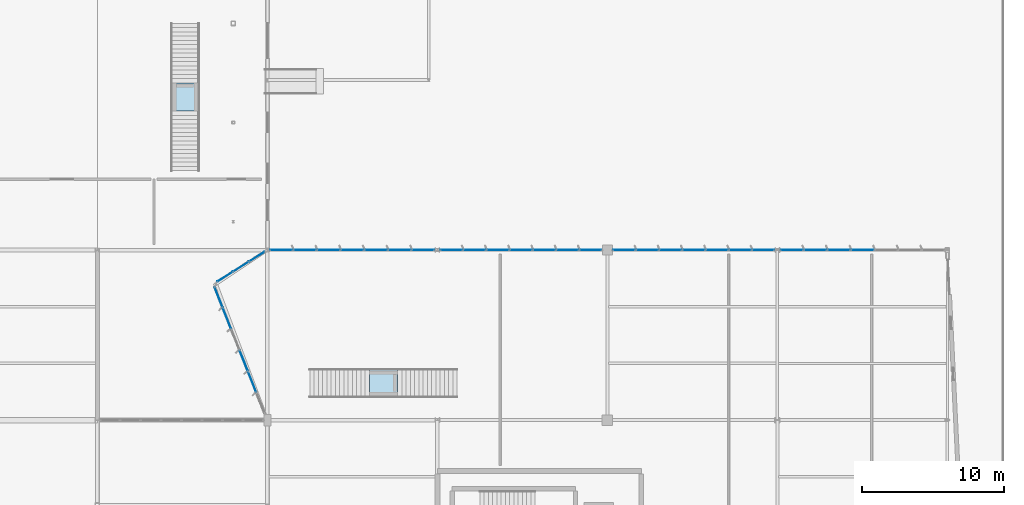
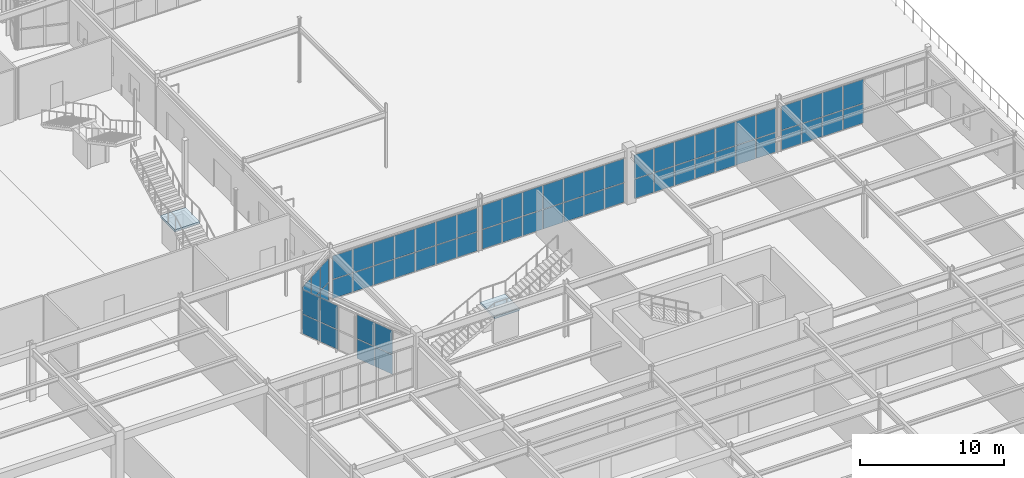
# One storey, part 123 of 199: 64 plates, 2 slabs, 8 elements without a shape of their own.
"""IFC4 building model written with IfcOpenShell, lengths in metres."""

from ifc_helpers import new_model, si_unit, direction, frame, origin, origin_2d, place, context, subcontext, project, spatial, polyline, rectangle, outline, extrude, material, layer, layer_set, type_object, element, aggregate, save


model = new_model("IFC4")

# Units and contexts
model_context = context("Model", 3, precision=1e-05, world=origin(), true_north=direction((0.0, 1.0)))
body_context = subcontext(model_context, "Body", "Model", "MODEL_VIEW")
ifc_project = project(units=[si_unit("LENGTHUNIT", "METRE"), si_unit("AREAUNIT", "SQUARE_METRE"), si_unit("VOLUMEUNIT", "CUBIC_METRE"), si_unit("PLANEANGLEUNIT", "RADIAN"), si_unit("MASSUNIT", "GRAM", prefix="KILO")], contexts=[model_context])

# Site, building, storey
site_placement = place(None, origin())
site = spatial("IfcSite", under=ifc_project, at=site_placement, CompositionType="ELEMENT")
building_placement = place(site_placement, origin())
building = spatial("IfcBuilding", under=site, at=building_placement, Name="Tarnwether General Hospital", CompositionType="ELEMENT")
storey_placement = place(building_placement, origin())
storey = spatial("IfcBuildingStorey", under=building, at=storey_placement, Name="L00", CompositionType="ELEMENT", Elevation=0.0)

# Curtain wall, plates
ifc_material_1 = material(Name="Anodised aluminium", Category="aluminium")
ifc_layer_1 = layer(ifc_material_1, 0.159912109375)
ifc_layer_set_1 = layer_set([ifc_layer_1], Name="Anodised aluminium")
curtain_wall_type = type_object("IfcCurtainWallType", Name="CW-20", PredefinedType="NOTDEFINED", material=ifc_layer_set_1)
curtain_wall_1_placement = place(storey_placement, origin())
curtain_wall_1 = element("IfcCurtainWall", 1, at=curtain_wall_1_placement, inside=storey, type_object=curtain_wall_type, Name="Curtain Wall CWG-L00-1441_456-0286", PredefinedType="NOTDEFINED")
ifc_material_2 = material(Name="Double glazed low-E glass", Category="glass")
ifc_layer_2 = layer(ifc_material_2, 0.028076171875)
ifc_layer_set_2 = layer_set([ifc_layer_2], Name="Double glazed low-E glass")
plate_type = type_object("IfcPlateType", Name="PT-CWP1", PredefinedType="CURTAIN_PANEL", material=ifc_layer_set_2)
plate_1_placement = place(storey_placement, frame((144.98583984375, 45.60009765625, 0.06005859375), z_axis=(0.0, 0.0, 1.0), x_axis=(1.0, 0.0, 0.0)))
plate_1 = element("IfcPlate", 2, at=plate_1_placement, type_object=plate_type, Name="CW-20 panel 1.1", PredefinedType="CURTAIN_PANEL", context=body_context, shape_type="SweptSolid", body=[
    extrude(rectangle(XDim=1.581787109375, YDim=0.028076171875, at=origin_2d()), origin(), (0.0, 0.0, 1.0), 1.592041015625),
])
plate_2_placement = place(storey_placement, frame((144.98583984375, 45.60009765625, 1.712158203125), z_axis=(0.0, 0.0, 1.0), x_axis=(1.0, 0.0, 0.0)))
plate_2 = element("IfcPlate", 3, at=plate_2_placement, type_object=plate_type, Name="CW-20 panel 1.2", PredefinedType="CURTAIN_PANEL", context=body_context, shape_type="SweptSolid", body=[
    extrude(rectangle(XDim=1.581787109375, YDim=0.028076171875, at=origin_2d()), origin(), (0.0, 0.0, 1.0), 1.9658203125),
])
plate_3_placement = place(storey_placement, frame((146.642822265625, 45.60009765625, 0.06005859375), z_axis=(0.0, 0.0, 1.0), x_axis=(1.0, 0.0, 0.0)))
plate_3 = element("IfcPlate", 4, at=plate_3_placement, type_object=plate_type, Name="CW-20 panel 2.1", PredefinedType="CURTAIN_PANEL", context=body_context, shape_type="SweptSolid", body=[
    extrude(rectangle(XDim=1.61181640625, YDim=0.028076171875, at=origin_2d()), origin(), (0.0, 0.0, 1.0), 1.592041015625),
])
plate_4_placement = place(storey_placement, frame((146.642822265625, 45.60009765625, 1.712158203125), z_axis=(0.0, 0.0, 1.0), x_axis=(1.0, 0.0, 0.0)))
plate_4 = element("IfcPlate", 5, at=plate_4_placement, type_object=plate_type, Name="CW-20 panel 2.2", PredefinedType="CURTAIN_PANEL", context=body_context, shape_type="SweptSolid", body=[
    extrude(rectangle(XDim=1.61181640625, YDim=0.028076171875, at=origin_2d()), origin(), (0.0, 0.0, 1.0), 1.9658203125),
])
plate_5_placement = place(storey_placement, frame((148.314697265625, 45.60009765625, 0.06005859375), z_axis=(0.0, 0.0, 1.0), x_axis=(1.0, 0.0, 0.0)))
plate_5 = element("IfcPlate", 6, at=plate_5_placement, type_object=plate_type, Name="CW-20 panel 3.1", PredefinedType="CURTAIN_PANEL", context=body_context, shape_type="SweptSolid", body=[
    extrude(rectangle(XDim=1.61181640625, YDim=0.028076171875, at=origin_2d()), origin(), (0.0, 0.0, 1.0), 1.592041015625),
])
plate_6_placement = place(storey_placement, frame((148.314697265625, 45.60009765625, 1.712158203125), z_axis=(0.0, 0.0, 1.0), x_axis=(1.0, 0.0, 0.0)))
plate_6 = element("IfcPlate", 7, at=plate_6_placement, type_object=plate_type, Name="CW-20 panel 3.2", PredefinedType="CURTAIN_PANEL", context=body_context, shape_type="SweptSolid", body=[
    extrude(rectangle(XDim=1.61181640625, YDim=0.028076171875, at=origin_2d()), origin(), (0.0, 0.0, 1.0), 1.9658203125),
])
plate_7_placement = place(storey_placement, frame((149.986572265625, 45.60009765625, 0.06005859375), z_axis=(0.0, 0.0, 1.0), x_axis=(1.0, 0.0, 0.0)))
plate_7 = element("IfcPlate", 8, at=plate_7_placement, type_object=plate_type, Name="CW-20 panel 4.1", PredefinedType="CURTAIN_PANEL", context=body_context, shape_type="SweptSolid", body=[
    extrude(rectangle(XDim=1.61181640625, YDim=0.028076171875, at=origin_2d()), origin(), (0.0, 0.0, 1.0), 1.592041015625),
])
plate_8_placement = place(storey_placement, frame((149.986572265625, 45.60009765625, 1.712158203125), z_axis=(0.0, 0.0, 1.0), x_axis=(1.0, 0.0, 0.0)))
plate_8 = element("IfcPlate", 9, at=plate_8_placement, type_object=plate_type, Name="CW-20 panel 4.2", PredefinedType="CURTAIN_PANEL", context=body_context, shape_type="SweptSolid", body=[
    extrude(rectangle(XDim=1.61181640625, YDim=0.028076171875, at=origin_2d()), origin(), (0.0, 0.0, 1.0), 1.9658203125),
])
plate_9_placement = place(storey_placement, frame((151.658447265625, 45.60009765625, 0.06005859375), z_axis=(0.0, 0.0, 1.0), x_axis=(1.0, 0.0, 0.0)))
plate_9 = element("IfcPlate", 10, at=plate_9_placement, type_object=plate_type, Name="CW-20 panel 5.1", PredefinedType="CURTAIN_PANEL", context=body_context, shape_type="SweptSolid", body=[
    extrude(rectangle(XDim=1.61181640625, YDim=0.028076171875, at=origin_2d()), origin(), (0.0, 0.0, 1.0), 1.592041015625),
])
plate_10_placement = place(storey_placement, frame((151.658447265625, 45.60009765625, 1.712158203125), z_axis=(0.0, 0.0, 1.0), x_axis=(1.0, 0.0, 0.0)))
plate_10 = element("IfcPlate", 11, at=plate_10_placement, type_object=plate_type, Name="CW-20 panel 5.2", PredefinedType="CURTAIN_PANEL", context=body_context, shape_type="SweptSolid", body=[
    extrude(rectangle(XDim=1.61181640625, YDim=0.028076171875, at=origin_2d()), origin(), (0.0, 0.0, 1.0), 1.9658203125),
])
plate_11_placement = place(storey_placement, frame((153.330322265625, 45.60009765625, 0.06005859375), z_axis=(0.0, 0.0, 1.0), x_axis=(1.0, 0.0, 0.0)))
plate_11 = element("IfcPlate", 12, at=plate_11_placement, type_object=plate_type, Name="CW-20 panel 6.1", PredefinedType="CURTAIN_PANEL", context=body_context, shape_type="SweptSolid", body=[
    extrude(rectangle(XDim=1.61181640625, YDim=0.028076171875, at=origin_2d()), origin(), (0.0, 0.0, 1.0), 1.592041015625),
])
plate_12_placement = place(storey_placement, frame((153.330322265625, 45.60009765625, 1.712158203125), z_axis=(0.0, 0.0, 1.0), x_axis=(1.0, 0.0, 0.0)))
plate_12 = element("IfcPlate", 13, at=plate_12_placement, type_object=plate_type, Name="CW-20 panel 6.2", PredefinedType="CURTAIN_PANEL", context=body_context, shape_type="SweptSolid", body=[
    extrude(rectangle(XDim=1.61181640625, YDim=0.028076171875, at=origin_2d()), origin(), (0.0, 0.0, 1.0), 1.9658203125),
])
plate_13_placement = place(storey_placement, frame((154.987060546875, 45.60009765625, 0.06005859375), z_axis=(0.0, 0.0, 1.0), x_axis=(1.0, 0.0, 0.0)))
plate_13 = element("IfcPlate", 14, at=plate_13_placement, type_object=plate_type, Name="CW-20 panel 7.1", PredefinedType="CURTAIN_PANEL", context=body_context, shape_type="SweptSolid", body=[
    extrude(rectangle(XDim=1.581787109375, YDim=0.028076171875, at=origin_2d()), origin(), (0.0, 0.0, 1.0), 1.592041015625),
])
plate_14_placement = place(storey_placement, frame((154.987060546875, 45.60009765625, 1.712158203125), z_axis=(0.0, 0.0, 1.0), x_axis=(1.0, 0.0, 0.0)))
plate_14 = element("IfcPlate", 15, at=plate_14_placement, type_object=plate_type, Name="CW-20 panel 7.2", PredefinedType="CURTAIN_PANEL", context=body_context, shape_type="SweptSolid", body=[
    extrude(rectangle(XDim=1.581787109375, YDim=0.028076171875, at=origin_2d()), origin(), (0.0, 0.0, 1.0), 1.9658203125),
])
aggregate(curtain_wall_1, [plate_1, plate_2, plate_3, plate_4, plate_5, plate_6, plate_7, plate_8, plate_9, plate_10, plate_11, plate_12, plate_13, plate_14])

curtain_wall_2_placement = place(storey_placement, origin())
curtain_wall_2 = element("IfcCurtainWall", 16, at=curtain_wall_2_placement, inside=storey, type_object=curtain_wall_type, Name="Curtain Wall CWG-L00-1562_456-0287", PredefinedType="NOTDEFINED")
plate_15_placement = place(storey_placement, frame((156.9970703125, 45.60009765625, 0.06005859375), z_axis=(0.0, 0.0, 1.0), x_axis=(1.0, 0.0, 0.0)))
plate_15 = element("IfcPlate", 17, at=plate_15_placement, type_object=plate_type, Name="CW-20 panel 1.1", PredefinedType="CURTAIN_PANEL", context=body_context, shape_type="SweptSolid", body=[
    extrude(rectangle(XDim=1.550048828125, YDim=0.028076171875, at=origin_2d()), origin(), (0.0, 0.0, 1.0), 1.628173828125),
])
plate_16_placement = place(storey_placement, frame((156.9970703125, 45.60009765625, 1.748046875), z_axis=(0.0, 0.0, 1.0), x_axis=(1.0, 0.0, 0.0)))
plate_16 = element("IfcPlate", 18, at=plate_16_placement, type_object=plate_type, Name="CW-20 panel 1.2", PredefinedType="CURTAIN_PANEL", context=body_context, shape_type="SweptSolid", body=[
    extrude(rectangle(XDim=1.550048828125, YDim=0.028076171875, at=origin_2d()), origin(), (0.0, 0.0, 1.0), 2.010009765625),
])
plate_17_placement = place(storey_placement, frame((158.6220703125, 45.60009765625, 0.06005859375), z_axis=(0.0, 0.0, 1.0), x_axis=(1.0, 0.0, 0.0)))
plate_17 = element("IfcPlate", 19, at=plate_17_placement, type_object=plate_type, Name="CW-20 panel 2.1", PredefinedType="CURTAIN_PANEL", context=body_context, shape_type="SweptSolid", body=[
    extrude(rectangle(XDim=1.580078125, YDim=0.028076171875, at=origin_2d()), origin(), (0.0, 0.0, 1.0), 1.628173828125),
])
plate_18_placement = place(storey_placement, frame((158.6220703125, 45.60009765625, 1.748046875), z_axis=(0.0, 0.0, 1.0), x_axis=(1.0, 0.0, 0.0)))
plate_18 = element("IfcPlate", 20, at=plate_18_placement, type_object=plate_type, Name="CW-20 panel 2.2", PredefinedType="CURTAIN_PANEL", context=body_context, shape_type="SweptSolid", body=[
    extrude(rectangle(XDim=1.580078125, YDim=0.028076171875, at=origin_2d()), origin(), (0.0, 0.0, 1.0), 2.010009765625),
])
plate_19_placement = place(storey_placement, frame((160.261962890625, 45.60009765625, 0.06005859375), z_axis=(0.0, 0.0, 1.0), x_axis=(1.0, 0.0, 0.0)))
plate_19 = element("IfcPlate", 21, at=plate_19_placement, type_object=plate_type, Name="CW-20 panel 3.1", PredefinedType="CURTAIN_PANEL", context=body_context, shape_type="SweptSolid", body=[
    extrude(rectangle(XDim=1.580078125, YDim=0.028076171875, at=origin_2d()), origin(), (0.0, 0.0, 1.0), 1.628173828125),
])
plate_20_placement = place(storey_placement, frame((160.261962890625, 45.60009765625, 1.748046875), z_axis=(0.0, 0.0, 1.0), x_axis=(1.0, 0.0, 0.0)))
plate_20 = element("IfcPlate", 22, at=plate_20_placement, type_object=plate_type, Name="CW-20 panel 3.2", PredefinedType="CURTAIN_PANEL", context=body_context, shape_type="SweptSolid", body=[
    extrude(rectangle(XDim=1.580078125, YDim=0.028076171875, at=origin_2d()), origin(), (0.0, 0.0, 1.0), 2.010009765625),
])
plate_21_placement = place(storey_placement, frame((161.902099609375, 45.60009765625, 0.06005859375), z_axis=(0.0, 0.0, 1.0), x_axis=(1.0, 0.0, 0.0)))
plate_21 = element("IfcPlate", 23, at=plate_21_placement, type_object=plate_type, Name="CW-20 panel 4.1", PredefinedType="CURTAIN_PANEL", context=body_context, shape_type="SweptSolid", body=[
    extrude(rectangle(XDim=1.580078125, YDim=0.028076171875, at=origin_2d()), origin(), (0.0, 0.0, 1.0), 1.628173828125),
])
plate_22_placement = place(storey_placement, frame((161.902099609375, 45.60009765625, 1.748046875), z_axis=(0.0, 0.0, 1.0), x_axis=(1.0, 0.0, 0.0)))
plate_22 = element("IfcPlate", 24, at=plate_22_placement, type_object=plate_type, Name="CW-20 panel 4.2", PredefinedType="CURTAIN_PANEL", context=body_context, shape_type="SweptSolid", body=[
    extrude(rectangle(XDim=1.580078125, YDim=0.028076171875, at=origin_2d()), origin(), (0.0, 0.0, 1.0), 2.010009765625),
])
plate_23_placement = place(storey_placement, frame((163.5419921875, 45.60009765625, 0.06005859375), z_axis=(0.0, 0.0, 1.0), x_axis=(1.0, 0.0, 0.0)))
plate_23 = element("IfcPlate", 25, at=plate_23_placement, type_object=plate_type, Name="CW-20 panel 5.1", PredefinedType="CURTAIN_PANEL", context=body_context, shape_type="SweptSolid", body=[
    extrude(rectangle(XDim=1.580078125, YDim=0.028076171875, at=origin_2d()), origin(), (0.0, 0.0, 1.0), 1.628173828125),
])
plate_24_placement = place(storey_placement, frame((163.5419921875, 45.60009765625, 1.748046875), z_axis=(0.0, 0.0, 1.0), x_axis=(1.0, 0.0, 0.0)))
plate_24 = element("IfcPlate", 26, at=plate_24_placement, type_object=plate_type, Name="CW-20 panel 5.2", PredefinedType="CURTAIN_PANEL", context=body_context, shape_type="SweptSolid", body=[
    extrude(rectangle(XDim=1.580078125, YDim=0.028076171875, at=origin_2d()), origin(), (0.0, 0.0, 1.0), 2.010009765625),
])
plate_25_placement = place(storey_placement, frame((165.181884765625, 45.60009765625, 0.06005859375), z_axis=(0.0, 0.0, 1.0), x_axis=(1.0, 0.0, 0.0)))
plate_25 = element("IfcPlate", 27, at=plate_25_placement, type_object=plate_type, Name="CW-20 panel 6.1", PredefinedType="CURTAIN_PANEL", context=body_context, shape_type="SweptSolid", body=[
    extrude(rectangle(XDim=1.580078125, YDim=0.028076171875, at=origin_2d()), origin(), (0.0, 0.0, 1.0), 1.628173828125),
])
plate_26_placement = place(storey_placement, frame((165.181884765625, 45.60009765625, 1.748046875), z_axis=(0.0, 0.0, 1.0), x_axis=(1.0, 0.0, 0.0)))
plate_26 = element("IfcPlate", 28, at=plate_26_placement, type_object=plate_type, Name="CW-20 panel 6.2", PredefinedType="CURTAIN_PANEL", context=body_context, shape_type="SweptSolid", body=[
    extrude(rectangle(XDim=1.580078125, YDim=0.028076171875, at=origin_2d()), origin(), (0.0, 0.0, 1.0), 2.010009765625),
])
plate_27_placement = place(storey_placement, frame((166.806884765625, 45.60009765625, 0.06005859375), z_axis=(0.0, 0.0, 1.0), x_axis=(1.0, 0.0, 0.0)))
plate_27 = element("IfcPlate", 29, at=plate_27_placement, type_object=plate_type, Name="CW-20 panel 7.1", PredefinedType="CURTAIN_PANEL", context=body_context, shape_type="SweptSolid", body=[
    extrude(rectangle(XDim=1.550048828125, YDim=0.028076171875, at=origin_2d()), origin(), (0.0, 0.0, 1.0), 1.628173828125),
])
plate_28_placement = place(storey_placement, frame((166.806884765625, 45.60009765625, 1.748046875), z_axis=(0.0, 0.0, 1.0), x_axis=(1.0, 0.0, 0.0)))
plate_28 = element("IfcPlate", 30, at=plate_28_placement, type_object=plate_type, Name="CW-20 panel 7.2", PredefinedType="CURTAIN_PANEL", context=body_context, shape_type="SweptSolid", body=[
    extrude(rectangle(XDim=1.550048828125, YDim=0.028076171875, at=origin_2d()), origin(), (0.0, 0.0, 1.0), 2.010009765625),
])
aggregate(curtain_wall_2, [plate_15, plate_16, plate_17, plate_18, plate_19, plate_20, plate_21, plate_22, plate_23, plate_24, plate_25, plate_26, plate_27, plate_28])

curtain_wall_3_placement = place(storey_placement, origin())
curtain_wall_3 = element("IfcCurtainWall", 31, at=curtain_wall_3_placement, inside=storey, type_object=curtain_wall_type, Name="Curtain Wall CWG-L00-1684_456-0288", PredefinedType="NOTDEFINED")
plate_29_placement = place(storey_placement, frame((169.1923828125, 45.60009765625, 0.06005859375), z_axis=(0.0, 0.0, 1.0), x_axis=(1.0, 0.0, 0.0)))
plate_29 = element("IfcPlate", 32, at=plate_29_placement, type_object=plate_type, Name="CW-20 panel 1.1", PredefinedType="CURTAIN_PANEL", context=body_context, shape_type="SweptSolid", body=[
    extrude(rectangle(XDim=1.548583984375, YDim=0.028076171875, at=origin_2d()), origin(), (0.0, 0.0, 1.0), 1.632568359375),
])
plate_30_placement = place(storey_placement, frame((169.1923828125, 45.60009765625, 1.75244140625), z_axis=(0.0, 0.0, 1.0), x_axis=(1.0, 0.0, 0.0)))
plate_30 = element("IfcPlate", 33, at=plate_30_placement, type_object=plate_type, Name="CW-20 panel 1.2", PredefinedType="CURTAIN_PANEL", context=body_context, shape_type="SweptSolid", body=[
    extrude(rectangle(XDim=1.548583984375, YDim=0.028076171875, at=origin_2d()), origin(), (0.0, 0.0, 1.0), 2.015380859375),
])
plate_31_placement = place(storey_placement, frame((170.81591796875, 45.60009765625, 0.06005859375), z_axis=(0.0, 0.0, 1.0), x_axis=(1.0, 0.0, 0.0)))
plate_31 = element("IfcPlate", 34, at=plate_31_placement, type_object=plate_type, Name="CW-20 panel 2.1", PredefinedType="CURTAIN_PANEL", context=body_context, shape_type="SweptSolid", body=[
    extrude(rectangle(XDim=1.57861328125, YDim=0.028076171875, at=origin_2d()), origin(), (0.0, 0.0, 1.0), 1.632568359375),
])
plate_32_placement = place(storey_placement, frame((170.81591796875, 45.60009765625, 1.75244140625), z_axis=(0.0, 0.0, 1.0), x_axis=(1.0, 0.0, 0.0)))
plate_32 = element("IfcPlate", 35, at=plate_32_placement, type_object=plate_type, Name="CW-20 panel 2.2", PredefinedType="CURTAIN_PANEL", context=body_context, shape_type="SweptSolid", body=[
    extrude(rectangle(XDim=1.57861328125, YDim=0.028076171875, at=origin_2d()), origin(), (0.0, 0.0, 1.0), 2.015380859375),
])
plate_33_placement = place(storey_placement, frame((172.454345703125, 45.60009765625, 0.06005859375), z_axis=(0.0, 0.0, 1.0), x_axis=(1.0, 0.0, 0.0)))
plate_33 = element("IfcPlate", 36, at=plate_33_placement, type_object=plate_type, Name="CW-20 panel 3.1", PredefinedType="CURTAIN_PANEL", context=body_context, shape_type="SweptSolid", body=[
    extrude(rectangle(XDim=1.57861328125, YDim=0.028076171875, at=origin_2d()), origin(), (0.0, 0.0, 1.0), 1.632568359375),
])
plate_34_placement = place(storey_placement, frame((172.454345703125, 45.60009765625, 1.75244140625), z_axis=(0.0, 0.0, 1.0), x_axis=(1.0, 0.0, 0.0)))
plate_34 = element("IfcPlate", 37, at=plate_34_placement, type_object=plate_type, Name="CW-20 panel 3.2", PredefinedType="CURTAIN_PANEL", context=body_context, shape_type="SweptSolid", body=[
    extrude(rectangle(XDim=1.57861328125, YDim=0.028076171875, at=origin_2d()), origin(), (0.0, 0.0, 1.0), 2.015380859375),
])
plate_35_placement = place(storey_placement, frame((174.093017578125, 45.60009765625, 0.06005859375), z_axis=(0.0, 0.0, 1.0), x_axis=(1.0, 0.0, 0.0)))
plate_35 = element("IfcPlate", 38, at=plate_35_placement, type_object=plate_type, Name="CW-20 panel 4.1", PredefinedType="CURTAIN_PANEL", context=body_context, shape_type="SweptSolid", body=[
    extrude(rectangle(XDim=1.57861328125, YDim=0.028076171875, at=origin_2d()), origin(), (0.0, 0.0, 1.0), 1.632568359375),
])
plate_36_placement = place(storey_placement, frame((174.093017578125, 45.60009765625, 1.75244140625), z_axis=(0.0, 0.0, 1.0), x_axis=(1.0, 0.0, 0.0)))
plate_36 = element("IfcPlate", 39, at=plate_36_placement, type_object=plate_type, Name="CW-20 panel 4.2", PredefinedType="CURTAIN_PANEL", context=body_context, shape_type="SweptSolid", body=[
    extrude(rectangle(XDim=1.57861328125, YDim=0.028076171875, at=origin_2d()), origin(), (0.0, 0.0, 1.0), 2.015380859375),
])
plate_37_placement = place(storey_placement, frame((175.731689453125, 45.60009765625, 0.06005859375), z_axis=(0.0, 0.0, 1.0), x_axis=(1.0, 0.0, 0.0)))
plate_37 = element("IfcPlate", 40, at=plate_37_placement, type_object=plate_type, Name="CW-20 panel 5.1", PredefinedType="CURTAIN_PANEL", context=body_context, shape_type="SweptSolid", body=[
    extrude(rectangle(XDim=1.57861328125, YDim=0.028076171875, at=origin_2d()), origin(), (0.0, 0.0, 1.0), 1.632568359375),
])
plate_38_placement = place(storey_placement, frame((175.731689453125, 45.60009765625, 1.75244140625), z_axis=(0.0, 0.0, 1.0), x_axis=(1.0, 0.0, 0.0)))
plate_38 = element("IfcPlate", 41, at=plate_38_placement, type_object=plate_type, Name="CW-20 panel 5.2", PredefinedType="CURTAIN_PANEL", context=body_context, shape_type="SweptSolid", body=[
    extrude(rectangle(XDim=1.57861328125, YDim=0.028076171875, at=origin_2d()), origin(), (0.0, 0.0, 1.0), 2.015380859375),
])
plate_39_placement = place(storey_placement, frame((177.3701171875, 45.60009765625, 0.06005859375), z_axis=(0.0, 0.0, 1.0), x_axis=(1.0, 0.0, 0.0)))
plate_39 = element("IfcPlate", 42, at=plate_39_placement, type_object=plate_type, Name="CW-20 panel 6.1", PredefinedType="CURTAIN_PANEL", context=body_context, shape_type="SweptSolid", body=[
    extrude(rectangle(XDim=1.57861328125, YDim=0.028076171875, at=origin_2d()), origin(), (0.0, 0.0, 1.0), 1.632568359375),
])
plate_40_placement = place(storey_placement, frame((177.3701171875, 45.60009765625, 1.75244140625), z_axis=(0.0, 0.0, 1.0), x_axis=(1.0, 0.0, 0.0)))
plate_40 = element("IfcPlate", 43, at=plate_40_placement, type_object=plate_type, Name="CW-20 panel 6.2", PredefinedType="CURTAIN_PANEL", context=body_context, shape_type="SweptSolid", body=[
    extrude(rectangle(XDim=1.57861328125, YDim=0.028076171875, at=origin_2d()), origin(), (0.0, 0.0, 1.0), 2.015380859375),
])
plate_41_placement = place(storey_placement, frame((178.99365234375, 45.60009765625, 0.06005859375), z_axis=(0.0, 0.0, 1.0), x_axis=(1.0, 0.0, 0.0)))
plate_41 = element("IfcPlate", 44, at=plate_41_placement, type_object=plate_type, Name="CW-20 panel 7.1", PredefinedType="CURTAIN_PANEL", context=body_context, shape_type="SweptSolid", body=[
    extrude(rectangle(XDim=1.548583984375, YDim=0.028076171875, at=origin_2d()), origin(), (0.0, 0.0, 1.0), 1.632568359375),
])
plate_42_placement = place(storey_placement, frame((178.99365234375, 45.60009765625, 1.75244140625), z_axis=(0.0, 0.0, 1.0), x_axis=(1.0, 0.0, 0.0)))
plate_42 = element("IfcPlate", 45, at=plate_42_placement, type_object=plate_type, Name="CW-20 panel 7.2", PredefinedType="CURTAIN_PANEL", context=body_context, shape_type="SweptSolid", body=[
    extrude(rectangle(XDim=1.548583984375, YDim=0.028076171875, at=origin_2d()), origin(), (0.0, 0.0, 1.0), 2.015380859375),
])
aggregate(curtain_wall_3, [plate_29, plate_30, plate_31, plate_32, plate_33, plate_34, plate_35, plate_36, plate_37, plate_38, plate_39, plate_40, plate_41, plate_42])

curtain_wall_4_placement = place(storey_placement, origin())
curtain_wall_4 = element("IfcCurtainWall", 46, at=curtain_wall_4_placement, inside=storey, type_object=curtain_wall_type, Name="Curtain Wall CWG-L00-1802_456-0289", PredefinedType="NOTDEFINED")
plate_43_placement = place(storey_placement, frame((181.0205078125, 45.60009765625, 0.06005859375), z_axis=(0.0, 0.0, 1.0), x_axis=(1.0, 0.0, 0.0)))
plate_43 = element("IfcPlate", 47, at=plate_43_placement, type_object=plate_type, Name="CW-20 panel 1.1", PredefinedType="CURTAIN_PANEL", context=body_context, shape_type="SweptSolid", body=[
    extrude(rectangle(XDim=1.5771484375, YDim=0.028076171875, at=origin_2d()), origin(), (0.0, 0.0, 1.0), 1.632568359375),
])
plate_44_placement = place(storey_placement, frame((181.0205078125, 45.60009765625, 1.75244140625), z_axis=(0.0, 0.0, 1.0), x_axis=(1.0, 0.0, 0.0)))
plate_44 = element("IfcPlate", 48, at=plate_44_placement, type_object=plate_type, Name="CW-20 panel 1.2", PredefinedType="CURTAIN_PANEL", context=body_context, shape_type="SweptSolid", body=[
    extrude(rectangle(XDim=1.5771484375, YDim=0.028076171875, at=origin_2d()), origin(), (0.0, 0.0, 1.0), 2.015380859375),
])
plate_45_placement = place(storey_placement, frame((182.672607421875, 45.60009765625, 0.06005859375), z_axis=(0.0, 0.0, 1.0), x_axis=(1.0, 0.0, 0.0)))
plate_45 = element("IfcPlate", 49, at=plate_45_placement, type_object=plate_type, Name="CW-20 panel 2.1", PredefinedType="CURTAIN_PANEL", context=body_context, shape_type="SweptSolid", body=[
    extrude(rectangle(XDim=1.607177734375, YDim=0.028076171875, at=origin_2d()), origin(), (0.0, 0.0, 1.0), 1.632568359375),
])
plate_46_placement = place(storey_placement, frame((182.672607421875, 45.60009765625, 1.75244140625), z_axis=(0.0, 0.0, 1.0), x_axis=(1.0, 0.0, 0.0)))
plate_46 = element("IfcPlate", 50, at=plate_46_placement, type_object=plate_type, Name="CW-20 panel 2.2", PredefinedType="CURTAIN_PANEL", context=body_context, shape_type="SweptSolid", body=[
    extrude(rectangle(XDim=1.607177734375, YDim=0.028076171875, at=origin_2d()), origin(), (0.0, 0.0, 1.0), 2.015380859375),
])
plate_47_placement = place(storey_placement, frame((184.33984375, 45.60009765625, 0.06005859375), z_axis=(0.0, 0.0, 1.0), x_axis=(1.0, 0.0, 0.0)))
plate_47 = element("IfcPlate", 51, at=plate_47_placement, type_object=plate_type, Name="CW-20 panel 3.1", PredefinedType="CURTAIN_PANEL", context=body_context, shape_type="SweptSolid", body=[
    extrude(rectangle(XDim=1.607177734375, YDim=0.028076171875, at=origin_2d()), origin(), (0.0, 0.0, 1.0), 1.632568359375),
])
plate_48_placement = place(storey_placement, frame((184.33984375, 45.60009765625, 1.75244140625), z_axis=(0.0, 0.0, 1.0), x_axis=(1.0, 0.0, 0.0)))
plate_48 = element("IfcPlate", 52, at=plate_48_placement, type_object=plate_type, Name="CW-20 panel 3.2", PredefinedType="CURTAIN_PANEL", context=body_context, shape_type="SweptSolid", body=[
    extrude(rectangle(XDim=1.607177734375, YDim=0.028076171875, at=origin_2d()), origin(), (0.0, 0.0, 1.0), 2.015380859375),
])
plate_49_placement = place(storey_placement, frame((186.007080078125, 45.60009765625, 0.06005859375), z_axis=(0.0, 0.0, 1.0), x_axis=(1.0, 0.0, 0.0)))
plate_49 = element("IfcPlate", 53, at=plate_49_placement, type_object=plate_type, Name="CW-20 panel 4.1", PredefinedType="CURTAIN_PANEL", context=body_context, shape_type="SweptSolid", body=[
    extrude(rectangle(XDim=1.607177734375, YDim=0.028076171875, at=origin_2d()), origin(), (0.0, 0.0, 1.0), 1.632568359375),
])
plate_50_placement = place(storey_placement, frame((186.007080078125, 45.60009765625, 1.75244140625), z_axis=(0.0, 0.0, 1.0), x_axis=(1.0, 0.0, 0.0)))
plate_50 = element("IfcPlate", 54, at=plate_50_placement, type_object=plate_type, Name="CW-20 panel 4.2", PredefinedType="CURTAIN_PANEL", context=body_context, shape_type="SweptSolid", body=[
    extrude(rectangle(XDim=1.607177734375, YDim=0.028076171875, at=origin_2d()), origin(), (0.0, 0.0, 1.0), 2.015380859375),
])
aggregate(curtain_wall_4, [plate_43, plate_44, plate_45, plate_46, plate_47, plate_48, plate_49, plate_50])

curtain_wall_5_placement = place(storey_placement, origin())
curtain_wall_5 = element("IfcCurtainWall", 55, at=curtain_wall_5_placement, inside=storey, type_object=curtain_wall_type, Name="Curtain Wall CWG-L00-1438_340-0294", PredefinedType="NOTDEFINED")
plate_51_placement = place(storey_placement, frame((142.9365234375, 36.2861328125, 0.06005859375), z_axis=(0.0, 0.0, 1.0), x_axis=(-0.36803540953, 0.929811775217, 0.0)))
plate_51 = element("IfcPlate", 56, at=plate_51_placement, type_object=plate_type, Name="CW-20 panel 2.1", PredefinedType="CURTAIN_PANEL", context=body_context, shape_type="SweptSolid", body=[
    extrude(rectangle(XDim=1.55126953125, YDim=0.028076171875, at=origin_2d()), origin(), (0.0, 0.0, 1.0), 1.632568359375),
])
plate_52_placement = place(storey_placement, frame((142.9365234375, 36.2861328125, 1.75244140625), z_axis=(0.0, 0.0, 1.0), x_axis=(-0.36803540953, 0.929811775217, 0.0)))
plate_52 = element("IfcPlate", 57, at=plate_52_placement, type_object=plate_type, Name="CW-20 panel 2.2", PredefinedType="CURTAIN_PANEL", context=body_context, shape_type="SweptSolid", body=[
    extrude(rectangle(XDim=1.55126953125, YDim=0.028076171875, at=origin_2d()), origin(), (0.0, 0.0, 1.0), 2.015380859375),
])
plate_53_placement = place(storey_placement, frame((142.343505859375, 37.784423828125, 0.06005859375), z_axis=(0.0, 0.0, 1.0), x_axis=(-0.36803540953, 0.929811775217, 0.0)))
plate_53 = element("IfcPlate", 58, at=plate_53_placement, type_object=plate_type, Name="CW-20 panel 3.1", PredefinedType="CURTAIN_PANEL", context=body_context, shape_type="SweptSolid", body=[
    extrude(rectangle(XDim=1.55126953125, YDim=0.028076171875, at=origin_2d()), origin(), (0.0, 0.0, 1.0), 1.632568359375),
])
plate_54_placement = place(storey_placement, frame((142.343505859375, 37.784423828125, 1.75244140625), z_axis=(0.0, 0.0, 1.0), x_axis=(-0.36803540953, 0.929811775217, 0.0)))
plate_54 = element("IfcPlate", 59, at=plate_54_placement, type_object=plate_type, Name="CW-20 panel 3.2", PredefinedType="CURTAIN_PANEL", context=body_context, shape_type="SweptSolid", body=[
    extrude(rectangle(XDim=1.55126953125, YDim=0.028076171875, at=origin_2d()), origin(), (0.0, 0.0, 1.0), 2.015380859375),
])
plate_55_placement = place(storey_placement, frame((141.157470703125, 40.78076171875, 0.06005859375), z_axis=(0.0, 0.0, 1.0), x_axis=(-0.36803540953, 0.929811775217, 0.0)))
plate_55 = element("IfcPlate", 60, at=plate_55_placement, type_object=plate_type, Name="CW-20 panel 5.1", PredefinedType="CURTAIN_PANEL", context=body_context, shape_type="SweptSolid", body=[
    extrude(rectangle(XDim=1.55126953125, YDim=0.028076171875, at=origin_2d()), origin(), (0.0, 0.0, 1.0), 1.632568359375),
])
plate_56_placement = place(storey_placement, frame((141.157470703125, 40.78076171875, 1.75244140625), z_axis=(0.0, 0.0, 1.0), x_axis=(-0.36803540953, 0.929811775217, 0.0)))
plate_56 = element("IfcPlate", 61, at=plate_56_placement, type_object=plate_type, Name="CW-20 panel 5.2", PredefinedType="CURTAIN_PANEL", context=body_context, shape_type="SweptSolid", body=[
    extrude(rectangle(XDim=1.55126953125, YDim=0.028076171875, at=origin_2d()), origin(), (0.0, 0.0, 1.0), 2.015380859375),
])
plate_57_placement = place(storey_placement, frame((140.570068359375, 42.264892578125, 0.06005859375), z_axis=(0.0, 0.0, 1.0), x_axis=(-0.36803540953, 0.929811775217, 0.0)))
plate_57 = element("IfcPlate", 62, at=plate_57_placement, type_object=plate_type, Name="CW-20 panel 6.1", PredefinedType="CURTAIN_PANEL", context=body_context, shape_type="SweptSolid", body=[
    extrude(rectangle(XDim=1.521240234375, YDim=0.028076171875, at=origin_2d()), origin(), (0.0, 0.0, 1.0), 1.632568359375),
])
plate_58_placement = place(storey_placement, frame((140.570068359375, 42.264892578125, 1.75244140625), z_axis=(0.0, 0.0, 1.0), x_axis=(-0.36803540953, 0.929811775217, 0.0)))
plate_58 = element("IfcPlate", 63, at=plate_58_placement, type_object=plate_type, Name="CW-20 panel 6.2", PredefinedType="CURTAIN_PANEL", context=body_context, shape_type="SweptSolid", body=[
    extrude(rectangle(XDim=1.521240234375, YDim=0.028076171875, at=origin_2d()), origin(), (0.0, 0.0, 1.0), 2.015380859375),
])
aggregate(curtain_wall_5, [plate_51, plate_52, plate_53, plate_54, plate_55, plate_56, plate_57, plate_58])

curtain_wall_6_placement = place(storey_placement, origin())
curtain_wall_6 = element("IfcCurtainWall", 64, at=curtain_wall_6_placement, inside=storey, type_object=curtain_wall_type, Name="Curtain Wall CWG-L00-1404_434-0295", PredefinedType="NOTDEFINED")
plate_59_placement = place(storey_placement, frame((141.02099609375, 43.71826171875, 0.06005859375), z_axis=(0.0, 0.0, 1.0), x_axis=(0.84547709874, 0.534011681059, 0.0)))
plate_59 = element("IfcPlate", 65, at=plate_59_placement, type_object=plate_type, Name="CW-20 panel 1.1", PredefinedType="CURTAIN_PANEL", context=body_context, shape_type="SweptSolid", body=[
    extrude(rectangle(XDim=1.251953125, YDim=0.028076171875, at=origin_2d()), origin(), (0.0, 0.0, 1.0), 1.592041015625),
])
plate_60_placement = place(storey_placement, frame((141.02099609375, 43.71826171875, 1.712158203125), z_axis=(0.0, 0.0, 1.0), x_axis=(0.84547709874, 0.534011681059, 0.0)))
plate_60 = element("IfcPlate", 66, at=plate_60_placement, type_object=plate_type, Name="CW-20 panel 1.2", PredefinedType="CURTAIN_PANEL", context=body_context, shape_type="SweptSolid", body=[
    extrude(rectangle(XDim=1.251953125, YDim=0.028076171875, at=origin_2d()), origin(), (0.0, 0.0, 1.0), 1.9658203125),
])
plate_61_placement = place(storey_placement, frame((142.14306640625, 44.427001953125, 0.06005859375), z_axis=(0.0, 0.0, 1.0), x_axis=(0.84547709874, 0.534011681059, 0.0)))
plate_61 = element("IfcPlate", 67, at=plate_61_placement, type_object=plate_type, Name="CW-20 panel 2.1", PredefinedType="CURTAIN_PANEL", context=body_context, shape_type="SweptSolid", body=[
    extrude(rectangle(XDim=1.281982421875, YDim=0.028076171875, at=origin_2d()), origin(), (0.0, 0.0, 1.0), 1.592041015625),
])
plate_62_placement = place(storey_placement, frame((142.14306640625, 44.427001953125, 1.712158203125), z_axis=(0.0, 0.0, 1.0), x_axis=(0.84547709874, 0.534011681059, 0.0)))
plate_62 = element("IfcPlate", 68, at=plate_62_placement, type_object=plate_type, Name="CW-20 panel 2.2", PredefinedType="CURTAIN_PANEL", context=body_context, shape_type="SweptSolid", body=[
    extrude(rectangle(XDim=1.281982421875, YDim=0.028076171875, at=origin_2d()), origin(), (0.0, 0.0, 1.0), 1.9658203125),
])
plate_63_placement = place(storey_placement, frame((143.264892578125, 45.1357421875, 0.06005859375), z_axis=(0.0, 0.0, 1.0), x_axis=(0.84547709874, 0.534011681059, 0.0)))
plate_63 = element("IfcPlate", 69, at=plate_63_placement, type_object=plate_type, Name="CW-20 panel 3.1", PredefinedType="CURTAIN_PANEL", context=body_context, shape_type="SweptSolid", body=[
    extrude(rectangle(XDim=1.251953125, YDim=0.028076171875, at=origin_2d()), origin(), (0.0, 0.0, 1.0), 1.592041015625),
])
plate_64_placement = place(storey_placement, frame((143.264892578125, 45.1357421875, 1.712158203125), z_axis=(0.0, 0.0, 1.0), x_axis=(0.84547709874, 0.534011681059, 0.0)))
plate_64 = element("IfcPlate", 70, at=plate_64_placement, type_object=plate_type, Name="CW-20 panel 3.2", PredefinedType="CURTAIN_PANEL", context=body_context, shape_type="SweptSolid", body=[
    extrude(rectangle(XDim=1.251953125, YDim=0.028076171875, at=origin_2d()), origin(), (0.0, 0.0, 1.0), 1.9658203125),
])
aggregate(curtain_wall_6, [plate_59, plate_60, plate_61, plate_62, plate_63, plate_64])

# Stair, slab
ifc_material_3 = material(Name="Concrete 40 MPa", Category="concrete")
stair_type = type_object("IfcStairType", Name="ST-SR48", PredefinedType="STRAIGHT_RUN_STAIR", material=ifc_material_3)
stair_1_placement = place(storey_placement, origin())
stair_1 = element("IfcStair", 71, at=stair_1_placement, inside=storey, type_object=stair_type, Name="Feature Straight Stair ST-11", PredefinedType="STRAIGHT_RUN_STAIR")
ifc_material_4 = material(Name="Concrete 40 MPa", Category="concrete")
ifc_layer_3 = layer(ifc_material_4, 0.199951171875)
ifc_layer_set_3 = layer_set([ifc_layer_3], Name="Concrete 40 MPa")
slab_type = type_object("IfcSlabType", Name="SL-LD200", PredefinedType="LANDING", material=ifc_layer_set_3)
slab_1_placement = place(storey_placement, frame((0.0, 0.0, 2.199951171875)))
slab_1 = element("IfcSlab", 72, at=slab_1_placement, type_object=slab_type, Name="ST-11 landing 1", PredefinedType="LANDING", context=body_context, shape_type="SweptSolid", body=[
    extrude(outline(polyline([(139.199951171875, 55.39990234375), (139.199951171875, 57.39990234375), (137.199951171875, 57.39990234375), (137.199951171875, 55.39990234375), (139.199951171875, 55.39990234375)])), origin(), (0.0, 0.0, 1.0), 0.199951171875),
])
aggregate(stair_1, [slab_1])

stair_2_placement = place(storey_placement, origin())
stair_2 = element("IfcStair", 73, at=stair_2_placement, inside=storey, type_object=stair_type, Name="Feature Straight Stair ST-13", PredefinedType="STRAIGHT_RUN_STAIR")
slab_2_placement = place(storey_placement, frame((0.0, 0.0, 2.199951171875)))
slab_2 = element("IfcSlab", 74, at=slab_2_placement, type_object=slab_type, Name="ST-13 landing 1", PredefinedType="LANDING", context=body_context, shape_type="SweptSolid", body=[
    extrude(outline(polyline([(151.199951171875, 35.199951171875), (153.199951171875, 35.199951171875), (153.199951171875, 37.199951171875), (151.199951171875, 37.199951171875), (151.199951171875, 35.199951171875)])), origin(), (0.0, 0.0, 1.0), 0.199951171875),
])
aggregate(stair_2, [slab_2])

save(model, "model.ifc")
